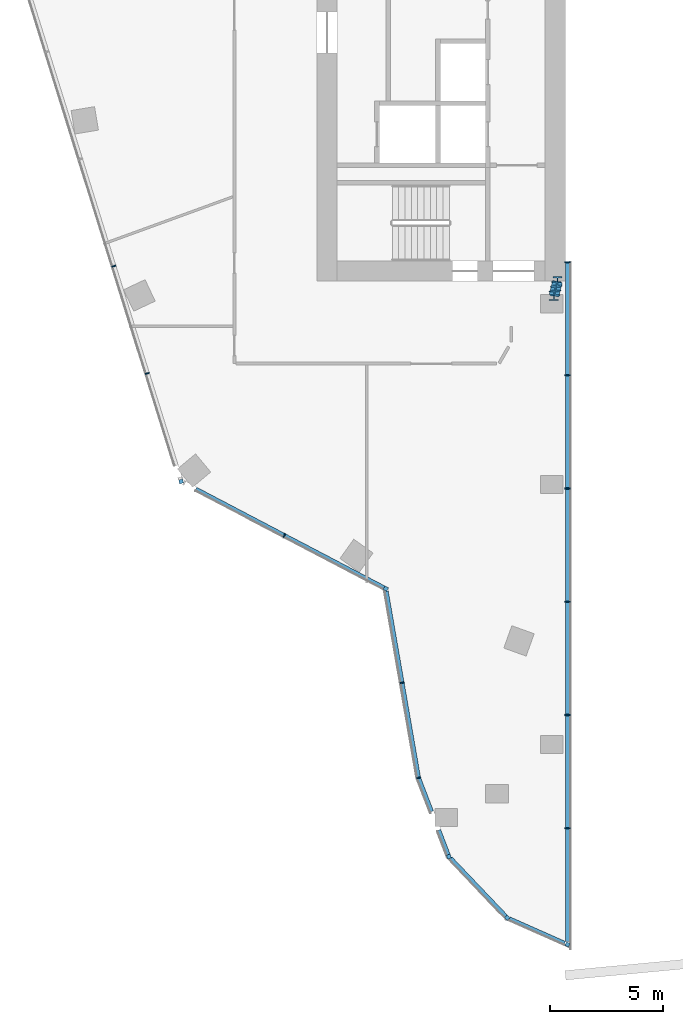
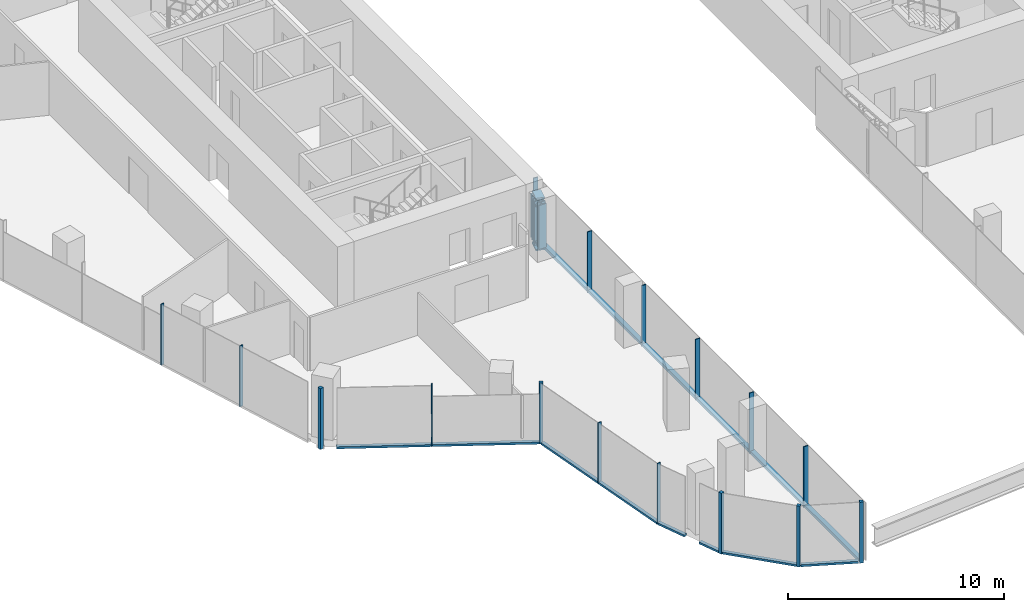
# One storey, part 2 of 24: 29 members, 7 elements without a shape of their own.
"""IFC4 building model written with IfcOpenShell, lengths in metres."""

import ifcopenshell
import ifcopenshell.guid

model = None  # the IFC model being written
_history = None  # IfcOwnerHistory: only IFC2X3 demands one
_inside = {}  # id of a spatial element -> (the spatial element, [elements in it])
_under = {}  # id of a project, library or spatial element -> (it, [spatial elements below it])
_declared = {}  # id of a project -> (the project, [libraries it declares])
_typed = {}  # id of a type object -> (the type object, [elements of that type])
_made_of = {}  # id of a material, layer set ... -> (it, [elements and type objects made of it])


def new_model(schema):
    """Start an empty IFC model of exactly this schema.

    Asked for "IFC4X3", IfcOpenShell would pick the latest addendum, in which some entities
    have other attributes; the version numbers below select the first issue.
    IFC2X3 requires an IfcOwnerHistory on every rooted entity: one is made here for all.
    """
    global model, _history
    if schema == "IFC4X3":
        model = ifcopenshell.file(schema_version=(4, 3, 0, 0))
    else:
        model = ifcopenshell.file(schema=schema)
    _inside.clear()
    _under.clear()
    _declared.clear()
    _typed.clear()
    _made_of.clear()
    _history = None
    if model.schema == "IFC2X3":
        org = make("IfcOrganization", Name="unknown")
        user = make(
            "IfcPersonAndOrganization",
            ThePerson=make("IfcPerson", FamilyName="unknown"),
            TheOrganization=org,
        )
        app = make(
            "IfcApplication",
            ApplicationDeveloper=org,
            Version="unknown",
            ApplicationFullName="unknown",
            ApplicationIdentifier="unknown",
        )
        _history = make(
            "IfcOwnerHistory",
            OwningUser=user,
            OwningApplication=app,
            ChangeAction="ADDED",
            CreationDate=0,
        )
    return model


def make(cls, **values):
    """One entity of the class cls with the attributes given. An attribute that is None is left unset."""
    return model.create_entity(
        cls, **{name: value for name, value in values.items() if value is not None}
    )


def rooted(cls, **values):
    """An entity with a GlobalId (a new one), such as an element, a storey or a relation."""
    return make(cls, GlobalId=ifcopenshell.guid.new(), OwnerHistory=_history, **values)


def si_unit(unit_type, name, prefix=None):
    """IfcSIUnit, for example si_unit("LENGTHUNIT", "METRE", prefix="MILLI")."""
    return make("IfcSIUnit", UnitType=unit_type, Prefix=prefix, Name=name)


def assignment(units):
    """IfcUnitAssignment: the units of a project."""
    return None if units is None else make("IfcUnitAssignment", Units=units)


def point(xyz):
    """IfcCartesianPoint."""
    return None if xyz is None else make("IfcCartesianPoint", Coordinates=xyz)


def direction(xyz):
    """IfcDirection."""
    return None if xyz is None else make("IfcDirection", DirectionRatios=xyz)


def frame(location, z_axis=None, x_axis=None):
    """IfcAxis2Placement3D, a coordinate frame: its origin and axes. An axis left out is left unset."""
    return make(
        "IfcAxis2Placement3D",
        Location=point(location),
        Axis=direction(z_axis),
        RefDirection=direction(x_axis),
    )


def frame_2d(location, x_axis=None):
    """IfcAxis2Placement2D, a coordinate frame in the plane: its origin and x axis."""
    return make(
        "IfcAxis2Placement2D", Location=point(location), RefDirection=direction(x_axis)
    )


def origin():
    """The frame at (0, 0, 0) with its axes left unset."""
    return frame((0.0, 0.0, 0.0))


def origin_2d():
    """The frame at (0, 0) in the plane with its x axis left unset."""
    return frame_2d((0.0, 0.0))


def place(relative_to, where):
    """IfcLocalPlacement: puts the frame where relative to a parent placement (None: the world)."""
    return make(
        "IfcLocalPlacement", PlacementRelTo=relative_to, RelativePlacement=where
    )


def context(
    kind, dimensions, precision=None, world=None, true_north=None, identifier=None
):
    """IfcGeometricRepresentationContext, for example the 3D "Model" context."""
    return make(
        "IfcGeometricRepresentationContext",
        ContextIdentifier=identifier,
        ContextType=kind,
        CoordinateSpaceDimension=dimensions,
        Precision=precision,
        WorldCoordinateSystem=world,
        TrueNorth=true_north,
    )


def subcontext(parent, identifier, kind, view, scale=None):
    """IfcGeometricRepresentationSubContext, for example "Body" below "Model"."""
    return make(
        "IfcGeometricRepresentationSubContext",
        ContextIdentifier=identifier,
        ContextType=kind,
        ParentContext=parent,
        TargetScale=scale,
        TargetView=view,
    )


def project(units=None, contexts=None):
    """IfcProject with its units and contexts."""
    return rooted(
        "IfcProject",
        Name="project",
        RepresentationContexts=contexts,
        UnitsInContext=assignment(units),
    )


def spatial(cls, under=None, at=None, **own):
    """A site, building, storey or space (cls), placed at a placement, below another one or the project."""
    s = rooted(cls, ObjectPlacement=at, **own)
    if under is not None:
        _under.setdefault(under.id(), (under, []))[1].append(s)
    return s


def profile(cls, at=None, kind="AREA", **sizes):
    """A parametric profile (cls). Its sizes go by their IFC names, for example OverallWidth=200.0."""
    return make(cls, ProfileType=kind, Position=at, **sizes)


def rectangle(**sizes):
    """IfcRectangleProfileDef."""
    return profile("IfcRectangleProfileDef", **sizes)


def i_section(**sizes):
    """IfcIShapeProfileDef."""
    return profile("IfcIShapeProfileDef", **sizes)


def extrude(swept, where, along, depth):
    """IfcExtrudedAreaSolid: the profile swept, set in the frame where, extruded along a direction by depth."""
    return make(
        "IfcExtrudedAreaSolid",
        SweptArea=swept,
        Position=where,
        ExtrudedDirection=direction(along),
        Depth=depth,
    )


def shape(context_of_items, identifier, shape_type, items):
    """IfcShapeRepresentation: the items that make up one representation, for example the "Body"."""
    return make(
        "IfcShapeRepresentation",
        ContextOfItems=context_of_items,
        RepresentationIdentifier=identifier,
        RepresentationType=shape_type,
        Items=items,
    )


def material(Name=None, Category=None):
    """IfcMaterial."""
    return make("IfcMaterial", Name=Name, Category=Category)


def material_profile(
    of_material, cross_section, Name=None, Category=None, Priority=None
):
    """IfcMaterialProfile: a cross section and its material."""
    return make(
        "IfcMaterialProfile",
        Name=Name,
        Material=of_material,
        Profile=cross_section,
        Priority=Priority,
        Category=Category,
    )


def profile_set(profiles, Name=None, composite=None):
    """IfcMaterialProfileSet."""
    return make(
        "IfcMaterialProfileSet",
        Name=Name,
        MaterialProfiles=profiles,
        CompositeProfile=composite,
    )


def made_of(thing, what):
    """Note that an element or type object is made of a material, layer set ...; save() writes the relation."""
    if what is not None:
        _made_of.setdefault(what.id(), (what, []))[1].append(thing)
    return thing


def type_object(cls, material=None, **own):
    """A type object (cls), such as IfcWallType, which elements share."""
    return made_of(rooted(cls, **own), material)


def element(
    cls,
    number,
    at=None,
    inside=None,
    cuts=None,
    type_object=None,
    material=None,
    context=None,
    identifier="Body",
    shape_type=None,
    held_by="IfcProductDefinitionShape",
    body=None,
    shapes=None,
    **own,
):
    """One element of the class cls, such as IfcWall. Its Tag is "e" and its number.

    at: its placement. inside: the storey or other place that contains it. cuts: it is an
    opening in that element (IfcRelVoidsElement). A single representation is given by context,
    identifier, shape_type and body (its items); several are given by shapes. held_by: the class
    of the entity that holds the representations. save() writes the other relations.
    """
    e = rooted(cls, Tag="e%d" % number, ObjectPlacement=at, **own)
    if body is not None:
        shapes = [shape(context, identifier, shape_type, body)]
    if shapes is not None:
        e.Representation = make(held_by, Representations=shapes)
    if inside is not None:
        _inside.setdefault(inside.id(), (inside, []))[1].append(e)
    if cuts is not None:
        rooted(
            "IfcRelVoidsElement", RelatingBuildingElement=cuts, RelatedOpeningElement=e
        )
    if type_object is not None:
        _typed.setdefault(type_object.id(), (type_object, []))[1].append(e)
    return made_of(e, material)


def aggregate(whole, parts):
    """IfcRelAggregates: a whole, such as a stair, and the parts it consists of."""
    return rooted("IfcRelAggregates", RelatingObject=whole, RelatedObjects=parts)


def save(model, path):
    """Write the relations noted so far, then the file.

    IfcRelAggregates (storeys below a building ...), IfcRelContainedInSpatialStructure (elements
    in a storey), IfcRelDefinesByType, IfcRelAssociatesMaterial and IfcRelDeclares: one each for
    every whole, place, type object, material and project.
    """
    for whole, parts in _under.values():
        aggregate(whole, parts)
    for where, things in _inside.values():
        rooted(
            "IfcRelContainedInSpatialStructure",
            RelatedElements=things,
            RelatingStructure=where,
        )
    for kind, things in _typed.values():
        rooted("IfcRelDefinesByType", RelatedObjects=things, RelatingType=kind)
    for what, things in _made_of.values():
        rooted("IfcRelAssociatesMaterial", RelatedObjects=things, RelatingMaterial=what)
    for by, libraries in _declared.values():
        rooted("IfcRelDeclares", RelatingContext=by, RelatedDefinitions=libraries)
    model.write(path)


model = new_model("IFC4")

# Units and contexts
model_context = context("Model", 3, precision=1e-05, world=origin(), true_north=direction((0.0, 1.0)))
body_context = subcontext(model_context, "Body", "Model", "MODEL_VIEW")
ifc_project = project(units=[si_unit("LENGTHUNIT", "METRE"), si_unit("AREAUNIT", "SQUARE_METRE"), si_unit("VOLUMEUNIT", "CUBIC_METRE"), si_unit("PLANEANGLEUNIT", "RADIAN"), si_unit("MASSUNIT", "GRAM", prefix="KILO")], contexts=[model_context])

# Site, building, storey
site_placement = place(None, origin())
site = spatial("IfcSite", under=ifc_project, at=site_placement, CompositionType="ELEMENT")
building_placement = place(site_placement, origin())
building = spatial("IfcBuilding", under=site, at=building_placement, Name="Orlundy Tower", CompositionType="ELEMENT")
storey_placement = place(building_placement, frame((0.0, 0.0, 267.5)))
storey = spatial("IfcBuildingStorey", under=building, at=storey_placement, Name="L71", CompositionType="ELEMENT", Elevation=267.5)

# Curtain wall, member
ifc_material_1 = material(Name="Aluminium bronze anodised", Category="aluminium")
curtain_wall_type = type_object("IfcCurtainWallType", Name="CW1 wall", PredefinedType="NOTDEFINED", material=ifc_material_1)
curtain_wall_1_placement = place(storey_placement, origin())
curtain_wall_1 = element("IfcCurtainWall", 1, at=curtain_wall_1_placement, inside=storey, type_object=curtain_wall_type, Name="CW1 run 00", PredefinedType="NOTDEFINED")
ifc_material_2 = material(Name="Aluminium bronze anodised", Category="aluminium")
ifc_material_profile_1 = material_profile(ifc_material_2, rectangle(XDim=0.179931640625, YDim=0.179931640625, at=origin_2d()), Name="CW1 corner post 180x180")
ifc_profile_set_1 = profile_set([ifc_material_profile_1], Name="Aluminium bronze anodised")
member_type_1 = type_object("IfcMemberType", Name="CW1 corner post 180x180", PredefinedType="MULLION", material=ifc_profile_set_1)
member_1_placement = place(storey_placement, frame((-15.9501953125, -25.612060546875, -0.39990234375), z_axis=(0.0, 0.0, 1.0), x_axis=(-0.464324546988, -0.885665125804, 0.0)))
member_1 = element("IfcMember", 2, at=member_1_placement, type_object=member_type_1, Name="CW1 mullion 1", PredefinedType="MULLION", context=body_context, shape_type="SweptSolid", body=[
    extrude(rectangle(XDim=0.179931640625, YDim=0.179931640625, at=origin_2d()), origin(), (0.0, 0.0, 1.0), 3.449951171875),
])

curtain_wall_2_placement = place(storey_placement, origin())
curtain_wall_2 = element("IfcCurtainWall", 3, at=curtain_wall_2_placement, inside=storey, type_object=curtain_wall_type, Name="CW1 run 01", PredefinedType="NOTDEFINED")
member_2_placement = place(storey_placement, frame((-25.009765625, -20.8623046875, -0.39990234375), z_axis=(0.0, 0.0, 1.0), x_axis=(-0.954580158408, -0.297954226643, 0.0)))
member_2 = element("IfcMember", 4, at=member_2_placement, type_object=member_type_1, Name="CW1 mullion 3", PredefinedType="MULLION", context=body_context, shape_type="SweptSolid", body=[
    extrude(rectangle(XDim=0.179931640625, YDim=0.179931640625, at=origin_2d()), origin(), (0.0, 0.0, 1.0), 3.449951171875),
])

curtain_wall_3_placement = place(storey_placement, origin())
curtain_wall_3 = element("IfcCurtainWall", 5, at=curtain_wall_3_placement, inside=storey, type_object=curtain_wall_type, Name="CW1 run 05", PredefinedType="NOTDEFINED")
member_3_placement = place(storey_placement, frame((-7.909912109375, -41.361328125, -0.39990234375), z_axis=(0.0, 0.0, 1.0), x_axis=(-0.405432387581, -0.914125034719, 0.0)))
member_3 = element("IfcMember", 6, at=member_3_placement, type_object=member_type_1, Name="CW1 mullion 30", PredefinedType="MULLION", context=body_context, shape_type="SweptSolid", body=[
    extrude(rectangle(XDim=0.179931640625, YDim=0.179931640625, at=origin_2d()), origin(), (0.0, 0.0, 1.0), 3.449951171875),
])

curtain_wall_4_placement = place(storey_placement, origin())
curtain_wall_4 = element("IfcCurtainWall", 7, at=curtain_wall_4_placement, inside=storey, type_object=curtain_wall_type, Name="CW1 run 06", PredefinedType="NOTDEFINED")
member_4_placement = place(storey_placement, frame((-10.575927734375, -40.178955078125, -0.39990234375), z_axis=(0.0, 0.0, 1.0), x_axis=(-0.724291875351, -0.689493494749, 0.0)))
member_4 = element("IfcMember", 8, at=member_4_placement, type_object=member_type_1, Name="CW1 mullion 31", PredefinedType="MULLION", context=body_context, shape_type="SweptSolid", body=[
    extrude(rectangle(XDim=0.179931640625, YDim=0.179931640625, at=origin_2d()), origin(), (0.0, 0.0, 1.0), 3.449951171875),
])

curtain_wall_5_placement = place(storey_placement, origin())
curtain_wall_5 = element("IfcCurtainWall", 9, at=curtain_wall_5_placement, inside=storey, type_object=curtain_wall_type, Name="CW1 run 07", PredefinedType="NOTDEFINED")
member_5_placement = place(storey_placement, frame((-13.156494140625, -37.468017578125, -0.39990234375), z_axis=(0.0, 0.0, 1.0), x_axis=(-0.933109013885, -0.359593615358, 0.0)))
member_5 = element("IfcMember", 10, at=member_5_placement, type_object=member_type_1, Name="CW1 mullion 32", PredefinedType="MULLION", context=body_context, shape_type="SweptSolid", body=[
    extrude(rectangle(XDim=0.179931640625, YDim=0.179931640625, at=origin_2d()), origin(), (0.0, 0.0, 1.0), 3.449951171875),
])

# Member
ifc_material_3 = material(Name="Aluminium bronze anodised", Category="aluminium")
ifc_material_profile_2 = material_profile(ifc_material_3, rectangle(XDim=0.179931640625, YDim=0.050048828125, at=origin_2d()), Name="CW1 mullion 50x180")
ifc_profile_set_2 = profile_set([ifc_material_profile_2], Name="Aluminium bronze anodised")
member_type_2 = type_object("IfcMemberType", Name="CW1 mullion 50x180", PredefinedType="MULLION", material=ifc_profile_set_2)
member_6_placement = place(storey_placement, frame((-20.44384765625, -23.256103515625, -0.39990234375), z_axis=(0.0, 0.0, 1.0), x_axis=(-0.464324546988, -0.885665125804, 0.0)))
member_6 = element("IfcMember", 11, at=member_6_placement, type_object=member_type_2, Name="CW1 mullion 2", PredefinedType="MULLION", context=body_context, shape_type="SweptSolid", body=[
    extrude(rectangle(XDim=0.179931640625, YDim=0.050048828125, at=origin_2d()), origin(), (0.0, 0.0, 1.0), 3.449951171875),
])

member_7_placement = place(storey_placement, frame((-26.501953125, -16.08203125, -0.39990234375), z_axis=(0.0, 0.0, 1.0), x_axis=(-0.954580158408, -0.297954226643, 0.0)))
member_7 = element("IfcMember", 12, at=member_7_placement, type_object=member_type_2, Name="CW1 mullion 4", PredefinedType="MULLION", context=body_context, shape_type="SweptSolid", body=[
    extrude(rectangle(XDim=0.179931640625, YDim=0.050048828125, at=origin_2d()), origin(), (0.0, 0.0, 1.0), 3.449951171875),
])

member_8_placement = place(storey_placement, frame((-27.98291015625, -11.337158203125, -0.39990234375), z_axis=(0.0, 0.0, 1.0), x_axis=(-0.954580158408, -0.297954226643, 0.0)))
member_8 = element("IfcMember", 13, at=member_8_placement, type_object=member_type_2, Name="CW1 mullion 5", PredefinedType="MULLION", context=body_context, shape_type="SweptSolid", body=[
    extrude(rectangle(XDim=0.179931640625, YDim=0.050048828125, at=origin_2d()), origin(), (0.0, 0.0, 1.0), 3.449951171875),
])

aggregate(curtain_wall_2, [member_2, member_7, member_8])

# Curtain wall, members
curtain_wall_6_placement = place(storey_placement, origin())
curtain_wall_6 = element("IfcCurtainWall", 14, at=curtain_wall_6_placement, inside=storey, type_object=curtain_wall_type, Name="CW1 run 08", PredefinedType="NOTDEFINED")
member_9_placement = place(storey_placement, frame((-14.499267578125, -33.984130859375, -0.39990234375), z_axis=(0.0, 0.0, 1.0), x_axis=(-0.963846106573, -0.266459533219, 0.0)))
member_9 = element("IfcMember", 15, at=member_9_placement, type_object=member_type_2, Name="CW1 mullion 33", PredefinedType="MULLION", context=body_context, shape_type="SweptSolid", body=[
    extrude(rectangle(XDim=0.179931640625, YDim=0.050048828125, at=origin_2d()), origin(), (0.0, 0.0, 1.0), 3.449951171875),
])
member_10_placement = place(storey_placement, frame((-15.229248046875, -29.77197265625, -0.39990234375), z_axis=(0.0, 0.0, 1.0), x_axis=(-0.985312227538, -0.170762449807, 0.0)))
member_10 = element("IfcMember", 16, at=member_10_placement, type_object=member_type_2, Name="CW1 mullion 34", PredefinedType="MULLION", context=body_context, shape_type="SweptSolid", body=[
    extrude(rectangle(XDim=0.179931640625, YDim=0.050048828125, at=origin_2d()), origin(), (0.0, 0.0, 1.0), 3.449951171875),
])

# Member
ifc_material_4 = material(Name="Aluminium bronze anodised", Category="aluminium")
ifc_material_profile_3 = material_profile(ifc_material_4, rectangle(XDim=0.179931640625, YDim=0.1201171875, at=origin_2d()), Name="CW1 transom 180x120")
ifc_profile_set_3 = profile_set([ifc_material_profile_3], Name="Aluminium bronze anodised")
member_type_3 = type_object("IfcMemberType", Name="CW1 transom 180x120", PredefinedType="USERDEFINED", material=ifc_profile_set_3)
member_11_placement = place(storey_placement, frame((-16.02978515625, -25.5703125, -0.340087890625), z_axis=(-0.885668458916, 0.464318189263, 0.0), x_axis=(-0.464318189263, -0.885668458916, 0.0)))
member_11 = element("IfcMember", 17, at=member_11_placement, type_object=member_type_3, Name="CW1 transom", ObjectType="TRANSOM", PredefinedType="USERDEFINED", context=body_context, shape_type="SweptSolid", body=[
    extrude(rectangle(XDim=0.179931640625, YDim=0.1201171875, at=origin_2d()), origin(), (0.0, 0.0, 1.0), 9.4091796875),
])

aggregate(curtain_wall_1, [member_1, member_6, member_11])

member_12_placement = place(storey_placement, frame((-8.036376953125, -41.30517578125, -0.340087890625), z_axis=(-0.914145503169, 0.405386234393, 0.0), x_axis=(-0.405386234393, -0.914145503169, 0.0)))
member_12 = element("IfcMember", 18, at=member_12_placement, type_object=member_type_3, Name="CW1 transom", ObjectType="TRANSOM", PredefinedType="USERDEFINED", context=body_context, shape_type="SweptSolid", body=[
    extrude(rectangle(XDim=0.179931640625, YDim=0.1201171875, at=origin_2d()), origin(), (0.0, 0.0, 1.0), 2.6806640625),
])

aggregate(curtain_wall_3, [member_3, member_12])

member_13_placement = place(storey_placement, frame((-10.637939453125, -40.11376953125, -0.340087890625), z_axis=(-0.689485404708, 0.724299576622, 0.0), x_axis=(-0.724299576622, -0.689485404708, 0.0)))
member_13 = element("IfcMember", 19, at=member_13_placement, type_object=member_type_3, Name="CW1 transom", ObjectType="TRANSOM", PredefinedType="USERDEFINED", context=body_context, shape_type="SweptSolid", body=[
    extrude(rectangle(XDim=0.179931640625, YDim=0.1201171875, at=origin_2d()), origin(), (0.0, 0.0, 1.0), 3.555419921875),
])

aggregate(curtain_wall_4, [member_4, member_13])

member_14_placement = place(storey_placement, frame((-13.18896484375, -37.384033203125, -0.340087890625), z_axis=(-0.359552671878, 0.933124791303, 0.0), x_axis=(-0.933124791303, -0.359552671878, 0.0)))
member_14 = element("IfcMember", 20, at=member_14_placement, type_object=member_type_3, Name="CW1 transom", ObjectType="TRANSOM", PredefinedType="USERDEFINED", context=body_context, shape_type="SweptSolid", body=[
    extrude(rectangle(XDim=0.179931640625, YDim=0.1201171875, at=origin_2d()), origin(), (0.0, 0.0, 1.0), 1.169189453125),
])

member_15_placement = place(storey_placement, frame((-13.924072265625, -35.4765625, -0.340087890625), z_axis=(-0.359623282256, 0.933097580567, 0.0), x_axis=(-0.933097580567, -0.359623282256, 0.0)))
member_15 = element("IfcMember", 21, at=member_15_placement, type_object=member_type_3, Name="CW1 transom", ObjectType="TRANSOM", PredefinedType="USERDEFINED", context=body_context, shape_type="SweptSolid", body=[
    extrude(rectangle(XDim=0.179931640625, YDim=0.1201171875, at=origin_2d()), origin(), (0.0, 0.0, 1.0), 1.57421875),
])

aggregate(curtain_wall_5, [member_5, member_14, member_15])

member_16_placement = place(storey_placement, frame((-14.50341796875, -33.959228515625, -0.340087890625), z_axis=(-0.170761768426, 0.985312345627, 0.0), x_axis=(-0.985312345627, -0.170761768426, 0.0)))
member_16 = element("IfcMember", 22, at=member_16_placement, type_object=member_type_3, Name="CW1 transom", ObjectType="TRANSOM", PredefinedType="USERDEFINED", context=body_context, shape_type="SweptSolid", body=[
    extrude(rectangle(XDim=0.179931640625, YDim=0.1201171875, at=origin_2d()), origin(), (0.0, 0.0, 1.0), 8.358154296875),
])

aggregate(curtain_wall_6, [member_9, member_10, member_16])

# Curtain wall, members
curtain_wall_7_placement = place(storey_placement, origin())
curtain_wall_7 = element("IfcCurtainWall", 23, at=curtain_wall_7_placement, inside=storey, type_object=curtain_wall_type, Name="CW1 run 04", PredefinedType="NOTDEFINED")
ifc_material_5 = material(Name="Aluminium bronze anodised", Category="aluminium")
ifc_material_profile_4 = material_profile(ifc_material_5, rectangle(XDim=0.239990234375, YDim=0.050048828125, at=origin_2d()), Name="CW6 mullion 50x240")
ifc_profile_set_4 = profile_set([ifc_material_profile_4], Name="Aluminium bronze anodised")
member_type_4 = type_object("IfcMemberType", Name="CW6 mullion 50x240", PredefinedType="MULLION", material=ifc_profile_set_4)
member_17_placement = place(storey_placement, frame((-7.909912109375, -11.157470703125, -0.39990234375), z_axis=(0.0, 0.0, 1.0), x_axis=(1.0, 0.0, 0.0)))
member_17 = element("IfcMember", 24, at=member_17_placement, type_object=member_type_4, Name="CW6 mullion 24", PredefinedType="MULLION", context=body_context, shape_type="SweptSolid", body=[
    extrude(rectangle(XDim=0.239990234375, YDim=0.050048828125, at=origin_2d()), origin(), (0.0, 0.0, 1.0), 3.449951171875),
])
member_18_placement = place(storey_placement, frame((-7.909912109375, -16.16845703125, -0.39990234375), z_axis=(0.0, 0.0, 1.0), x_axis=(1.0, 0.0, 0.0)))
member_18 = element("IfcMember", 25, at=member_18_placement, type_object=member_type_4, Name="CW6 mullion 25", PredefinedType="MULLION", context=body_context, shape_type="SweptSolid", body=[
    extrude(rectangle(XDim=0.239990234375, YDim=0.050048828125, at=origin_2d()), origin(), (0.0, 0.0, 1.0), 3.449951171875),
])
member_19_placement = place(storey_placement, frame((-7.909912109375, -21.17919921875, -0.39990234375), z_axis=(0.0, 0.0, 1.0), x_axis=(1.0, 0.0, 0.0)))
member_19 = element("IfcMember", 26, at=member_19_placement, type_object=member_type_4, Name="CW6 mullion 26", PredefinedType="MULLION", context=body_context, shape_type="SweptSolid", body=[
    extrude(rectangle(XDim=0.239990234375, YDim=0.050048828125, at=origin_2d()), origin(), (0.0, 0.0, 1.0), 3.449951171875),
])
member_20_placement = place(storey_placement, frame((-7.909912109375, -26.190185546875, -0.39990234375), z_axis=(0.0, 0.0, 1.0), x_axis=(1.0, 0.0, 0.0)))
member_20 = element("IfcMember", 27, at=member_20_placement, type_object=member_type_4, Name="CW6 mullion 27", PredefinedType="MULLION", context=body_context, shape_type="SweptSolid", body=[
    extrude(rectangle(XDim=0.239990234375, YDim=0.050048828125, at=origin_2d()), origin(), (0.0, 0.0, 1.0), 3.449951171875),
])
member_21_placement = place(storey_placement, frame((-7.909912109375, -31.201171875, -0.39990234375), z_axis=(0.0, 0.0, 1.0), x_axis=(1.0, 0.0, 0.0)))
member_21 = element("IfcMember", 28, at=member_21_placement, type_object=member_type_4, Name="CW6 mullion 28", PredefinedType="MULLION", context=body_context, shape_type="SweptSolid", body=[
    extrude(rectangle(XDim=0.239990234375, YDim=0.050048828125, at=origin_2d()), origin(), (0.0, 0.0, 1.0), 3.449951171875),
])
member_22_placement = place(storey_placement, frame((-7.909912109375, -36.212158203125, -0.39990234375), z_axis=(0.0, 0.0, 1.0), x_axis=(1.0, 0.0, 0.0)))
member_22 = element("IfcMember", 29, at=member_22_placement, type_object=member_type_4, Name="CW6 mullion 29", PredefinedType="MULLION", context=body_context, shape_type="SweptSolid", body=[
    extrude(rectangle(XDim=0.239990234375, YDim=0.050048828125, at=origin_2d()), origin(), (0.0, 0.0, 1.0), 3.449951171875),
])
ifc_material_6 = material(Name="Aluminium bronze anodised", Category="aluminium")
ifc_material_profile_5 = material_profile(ifc_material_6, rectangle(XDim=0.239990234375, YDim=0.159912109375, at=origin_2d()), Name="CW6 transom 240x160")
ifc_profile_set_5 = profile_set([ifc_material_profile_5], Name="Aluminium bronze anodised")
member_type_5 = type_object("IfcMemberType", Name="CW6 transom 240x160", PredefinedType="USERDEFINED", material=ifc_profile_set_5)
member_23_placement = place(storey_placement, frame((-7.8798828125, -11.182373046875, -0.320068359375), z_axis=(0.0, -1.0, 0.0), x_axis=(1.0, 0.0, 0.0)))
member_23 = element("IfcMember", 30, at=member_23_placement, type_object=member_type_5, Name="CW6 transom", ObjectType="TRANSOM", PredefinedType="USERDEFINED", context=body_context, shape_type="SweptSolid", body=[
    extrude(rectangle(XDim=0.239990234375, YDim=0.159912109375, at=origin_2d()), origin(), (0.0, 0.0, 1.0), 30.04052734375),
])
aggregate(curtain_wall_7, [member_17, member_18, member_19, member_20, member_21, member_22, member_23])

# Members
ifc_material_7 = material(Name="Steel ASTM A992 Gr 50", Category="steel")
ifc_material_profile_6 = material_profile(ifc_material_7, i_section(OverallWidth=0.43212890625, OverallDepth=0.497802734375, WebThickness=0.0556640625, FlangeThickness=0.0888671875, at=origin_2d()), Name="W14X500")
ifc_profile_set_6 = profile_set([ifc_material_profile_6], Name="Steel ASTM A992 Gr 50")
member_type_6 = type_object("IfcMemberType", Name="PORTAL EDGE TRUSS chord W14X500", PredefinedType="CHORD", material=ifc_profile_set_6)
for number, where, z_axis, x_axis, name in (
    (31, (-8.35009765625, -12.02001953125, 0.28466796875), (-0.247031311842, -0.969007497891, 0.0), (0.969007497891, -0.247031311842, 0.0), "Portal edge truss bottom chord PE-WS"),
    (32, (-8.35009765625, -12.02001953125, 2.765380859375), (-0.247031311842, -0.969007497891, 0.0), (0.969007497891, -0.247031311842, 0.0), "Portal edge truss top chord PE-WS"),
):
    element("IfcMember", number, at=place(storey_placement, frame(where, z_axis=z_axis, x_axis=x_axis)), inside=storey, type_object=member_type_6, Name=name, PredefinedType="CHORD", context=body_context, shape_type="SweptSolid", body=[
        extrude(i_section(OverallWidth=0.43212890625, OverallDepth=0.497802734375, WebThickness=0.0556640625, FlangeThickness=0.0888671875, at=origin_2d()), origin(), (0.0, 0.0, 1.0), 0.6513671875),
    ])
ifc_material_8 = material(Name="Steel ASTM A992 Gr 50", Category="steel")
ifc_material_profile_7 = material_profile(ifc_material_8, i_section(OverallWidth=0.412109375, OverallDepth=0.434814453125, WebThickness=0.035888671875, FlangeThickness=0.057373046875, at=origin_2d()), Name="W14X311")
ifc_profile_set_7 = profile_set([ifc_material_profile_7], Name="Steel ASTM A992 Gr 50")
member_type_7 = type_object("IfcMemberType", Name="PORTAL EDGE TRUSS post W14X311", PredefinedType="POST", material=ifc_profile_set_7)
for number, where, z_axis, x_axis, name in (
    (33, (-8.35009765625, -12.02001953125, 0.28466796875), (0.0, 0.0, 1.0), (1.0, 0.0, 0.0), "Portal edge truss post PE-WS-0"),
    (34, (-8.40380859375, -12.23046875, 0.28466796875), (0.0, 0.0, 1.0), (1.0, 0.0, 0.0), "Portal edge truss post PE-WS-1"),
    (35, (-8.457275390625, -12.44091796875, 0.28466796875), (0.0, 0.0, 1.0), (1.0, 0.0, 0.0), "Portal edge truss post PE-WS-2"),
    (36, (-8.510986328125, -12.651123046875, 0.28466796875), (0.0, 0.0, 1.0), (1.0, 0.0, 0.0), "Portal edge truss post PE-WS-3"),
):
    element("IfcMember", number, at=place(storey_placement, frame(where, z_axis=z_axis, x_axis=x_axis)), inside=storey, type_object=member_type_7, Name=name, PredefinedType="POST", context=body_context, shape_type="SweptSolid", body=[
        extrude(i_section(OverallWidth=0.412109375, OverallDepth=0.434814453125, WebThickness=0.035888671875, FlangeThickness=0.057373046875, at=origin_2d()), origin(), (0.0, 0.0, 1.0), 2.480712890625),
    ])

save(model, "model.ifc")
